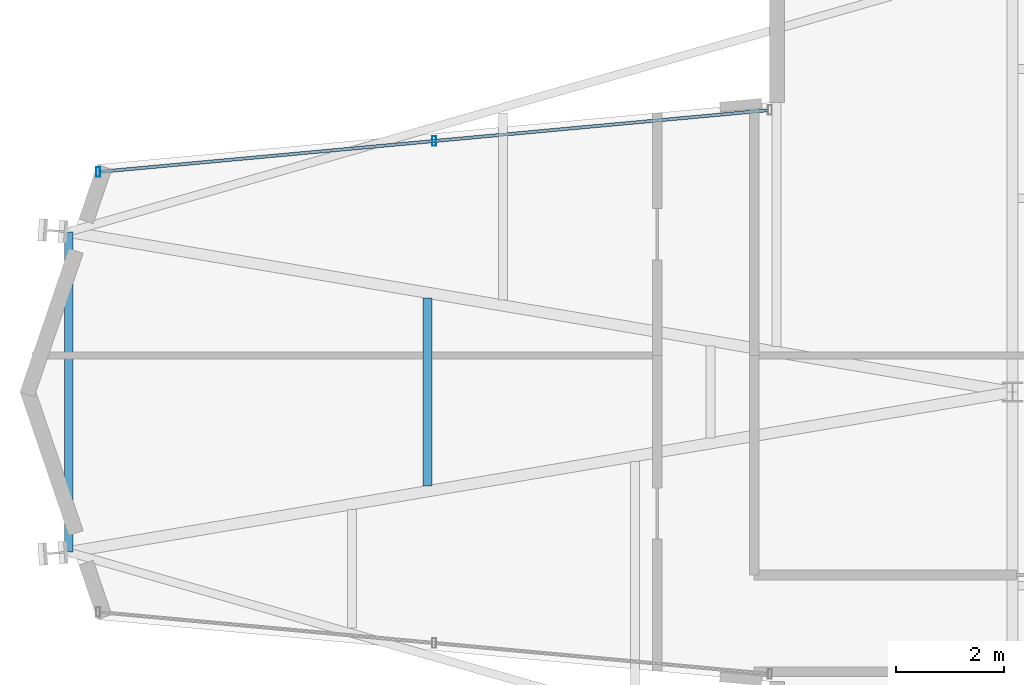
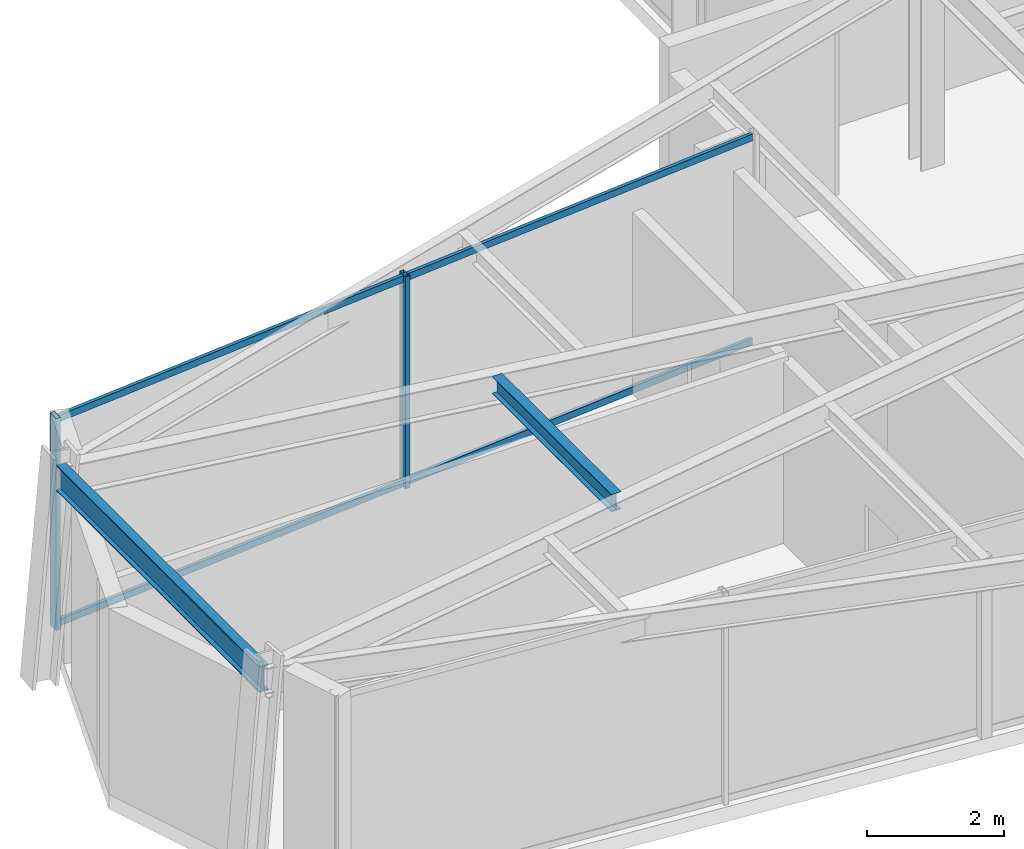
# One storey, part 9 of 21: 4 members, 2 beams, 1 element without a shape of its own.
"""IFC4 building model written with IfcOpenShell, lengths in metres."""

from ifc_helpers import new_model, si_unit, direction, frame, origin, origin_2d, place, context, subcontext, project, spatial, hollow_rectangle, i_section, extrude, material, layer, layer_set, material_profile, profile_set, type_object, element, aggregate, save


model = new_model("IFC4")

# Units and contexts
model_context = context("Model", 3, precision=1e-05, world=origin(), true_north=direction((0.0, 1.0)))
body_context = subcontext(model_context, "Body", "Model", "MODEL_VIEW")
ifc_project = project(units=[si_unit("LENGTHUNIT", "METRE"), si_unit("AREAUNIT", "SQUARE_METRE"), si_unit("VOLUMEUNIT", "CUBIC_METRE"), si_unit("PLANEANGLEUNIT", "RADIAN"), si_unit("MASSUNIT", "GRAM", prefix="KILO")], contexts=[model_context])

# Site, building, storey
site_placement = place(None, origin())
site = spatial("IfcSite", under=ifc_project, at=site_placement, CompositionType="ELEMENT")
building_placement = place(site_placement, origin())
building = spatial("IfcBuilding", under=site, at=building_placement, Name="Veymaron Broadcast Tower", CompositionType="ELEMENT")
storey_placement = place(building_placement, frame((0.0, 0.0, 212.10009765625)))
storey = spatial("IfcBuildingStorey", under=building, at=storey_placement, Name="L49", CompositionType="ELEMENT", Elevation=212.10009765625)

# Beams
ifc_material_1 = material(Name="Structural steel ASTM A992 Gr 50", Category="steel")
ifc_material_profile_1 = material_profile(ifc_material_1, i_section(OverallWidth=0.1650390625, OverallDepth=0.31005859375, WebThickness=0.005859375, FlangeThickness=0.009765625, at=origin_2d()), Name="W310X39")
ifc_profile_set_1 = profile_set([ifc_material_profile_1], Name="Structural steel ASTM A992 Gr 50")
beam_type_1 = type_object("IfcBeamType", Name="BM-JS3", PredefinedType="JOIST", material=ifc_profile_set_1)
beam_1_placement = place(storey_placement, frame((20.328369140625, 22.255615234375, 3.635009765625), z_axis=(0.0, 1.0, 0.0), x_axis=(-1.0, 0.0, 0.0)))
element("IfcBeam", 1, at=beam_1_placement, inside=storey, type_object=beam_type_1, Name="L49 Arm-A secondary joist 1M", PredefinedType="JOIST", context=body_context, shape_type="SweptSolid", body=[
    extrude(i_section(OverallWidth=0.1650390625, OverallDepth=0.31005859375, WebThickness=0.005859375, FlangeThickness=0.009765625, at=origin_2d()), origin(), (0.0, 0.0, 1.0), 3.48876953125),
])
ifc_material_profile_2 = material_profile(ifc_material_1, i_section(OverallWidth=0.154052734375, OverallDepth=0.458984375, WebThickness=0.009033203125, FlangeThickness=0.015380859375, at=origin_2d()), Name="W460X68")
ifc_profile_set_2 = profile_set([ifc_material_profile_2], Name="Structural steel ASTM A992 Gr 50")
beam_type_2 = type_object("IfcBeamType", Name="BM-SP2", PredefinedType="SPANDREL", material=ifc_profile_set_2)
beam_2_placement = place(storey_placement, frame((13.6650390625, 21.02490234375, 3.560302734375), z_axis=(0.0, 1.0, 0.0), x_axis=(-1.0, 0.0, 0.0)))
element("IfcBeam", 2, at=beam_2_placement, inside=storey, type_object=beam_type_2, Name="L49 primary structural floor girder", PredefinedType="SPANDREL", context=body_context, shape_type="SweptSolid", body=[
    extrude(i_section(OverallWidth=0.154052734375, OverallDepth=0.458984375, WebThickness=0.009033203125, FlangeThickness=0.015380859375, at=origin_2d()), origin(), (0.0, 0.0, 1.0), 5.9501953125),
])

# Curtain wall, members
ifc_material_2 = material(Name="Anodised aluminium AA 6063-T6 and laminated low-E dark glass", Category="aluminium")
ifc_layer = layer(ifc_material_2, 0.179931640625)
ifc_layer_set = layer_set([ifc_layer], Name="Anodised aluminium AA 6063-T6 and laminated low-E dark glass")
curtain_wall_type = type_object("IfcCurtainWallType", Name="CW-SYS-05", PredefinedType="NOTDEFINED", material=ifc_layer_set)
curtain_wall_placement = place(storey_placement, origin())
curtain_wall = element("IfcCurtainWall", 3, at=curtain_wall_placement, inside=storey, type_object=curtain_wall_type, Name="L49 dark-glass curtain wall CW-L49-E11-1", PredefinedType="NOTDEFINED")
ifc_material_3 = material(Name="Anodised aluminium AA 6063-T6", Category="aluminium")
ifc_material_profile_3 = material_profile(ifc_material_3, hollow_rectangle(XDim=0.074951171875, YDim=0.179931640625, WallThickness=0.0048828125, at=origin_2d()), Name="AL180X75X5")
ifc_profile_set_3 = profile_set([ifc_material_profile_3], Name="Anodised aluminium AA 6063-T6")
member_type_1 = type_object("IfcMemberType", Name="CW-MUL-02", PredefinedType="MULLION", material=ifc_profile_set_3)
member_1_placement = place(storey_placement, frame((20.452880859375, 28.6630859375, 0.0), z_axis=(0.0, 0.0, 1.0), x_axis=(1.0, 0.0, 0.0)))
member_1 = element("IfcMember", 4, at=member_1_placement, type_object=member_type_1, Name="CW-L49-E11-1 mullion 1", PredefinedType="MULLION", context=body_context, shape_type="SweptSolid", body=[
    extrude(hollow_rectangle(XDim=0.074951171875, YDim=0.179931640625, WallThickness=0.0048828125, at=origin_2d()), origin(), (0.0, 0.0, 1.0), 3.789794921875),
])
member_2_placement = place(storey_placement, frame((14.212890625, 28.087646484375, 0.0), z_axis=(0.0, 0.0, 1.0), x_axis=(1.0, 0.0, 0.0)))
member_2 = element("IfcMember", 5, at=member_2_placement, type_object=member_type_1, Name="CW-L49-E11-1 mullion 2", PredefinedType="MULLION", context=body_context, shape_type="SweptSolid", body=[
    extrude(hollow_rectangle(XDim=0.074951171875, YDim=0.179931640625, WallThickness=0.0048828125, at=origin_2d()), origin(), (0.0, 0.0, 1.0), 3.789794921875),
])
ifc_material_profile_4 = material_profile(ifc_material_3, hollow_rectangle(XDim=0.06005859375, YDim=0.1201171875, WallThickness=0.00390625, at=origin_2d()), Name="AL120X60X4")
ifc_profile_set_4 = profile_set([ifc_material_profile_4], Name="Anodised aluminium AA 6063-T6")
member_type_2 = type_object("IfcMemberType", Name="CW-TRN-02", PredefinedType="USERDEFINED", material=ifc_profile_set_4)
member_3_placement = place(storey_placement, frame((26.64306640625, 29.233642578125, 0.06982421875), z_axis=(-0.995777317913, -0.091801596554, 0.0), x_axis=(0.091801596554, -0.995777317913, 0.0)))
member_3 = element("IfcMember", 6, at=member_3_placement, type_object=member_type_2, Name="CW-L49-E11-1 transom B", ObjectType="TRANSOM", PredefinedType="USERDEFINED", context=body_context, shape_type="SweptSolid", body=[
    extrude(hollow_rectangle(XDim=0.06005859375, YDim=0.1201171875, WallThickness=0.00390625, at=origin_2d()), origin(), (0.0, 0.0, 1.0), 12.432861328125),
])
member_4_placement = place(storey_placement, frame((26.64306640625, 29.233642578125, 3.719970703125), z_axis=(-0.995777317913, -0.091801596554, 0.0), x_axis=(0.091801596554, -0.995777317913, 0.0)))
member_4 = element("IfcMember", 7, at=member_4_placement, type_object=member_type_2, Name="CW-L49-E11-1 transom T", ObjectType="TRANSOM", PredefinedType="USERDEFINED", context=body_context, shape_type="SweptSolid", body=[
    extrude(hollow_rectangle(XDim=0.06005859375, YDim=0.1201171875, WallThickness=0.00390625, at=origin_2d()), origin(), (0.0, 0.0, 1.0), 12.432861328125),
])
aggregate(curtain_wall, [member_1, member_2, member_3, member_4])

save(model, "model.ifc")
